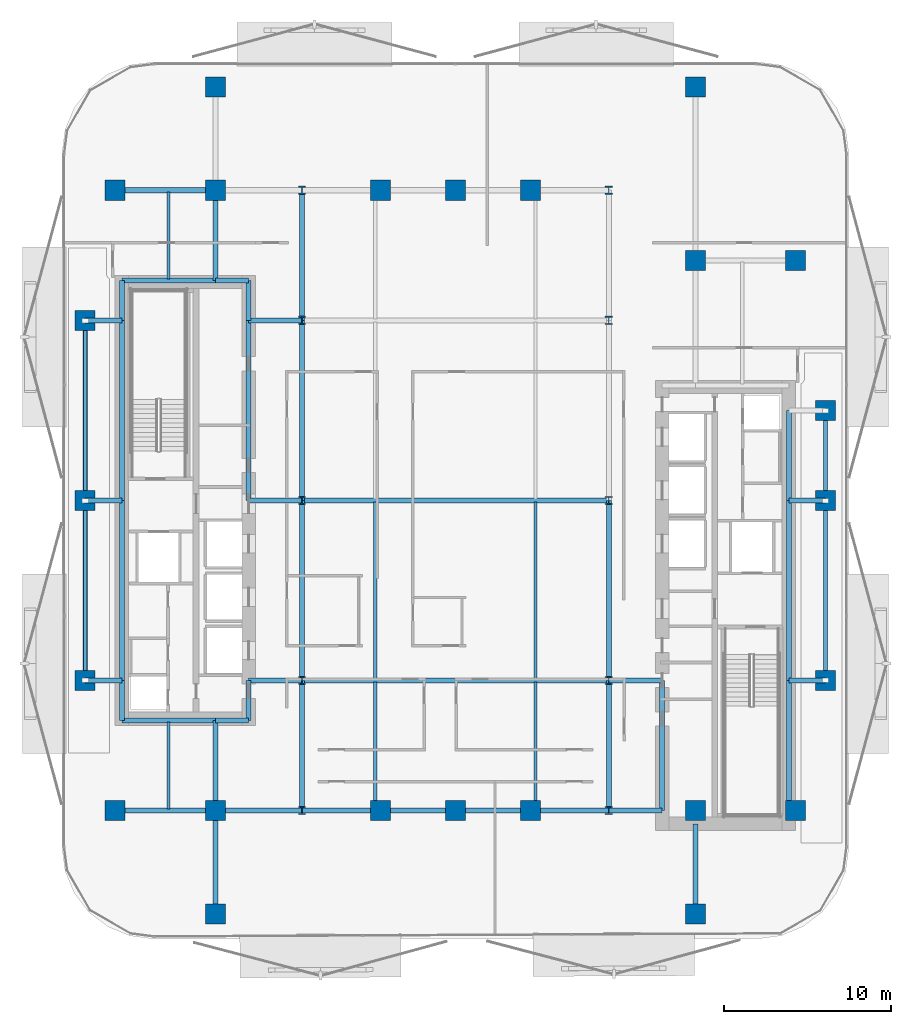
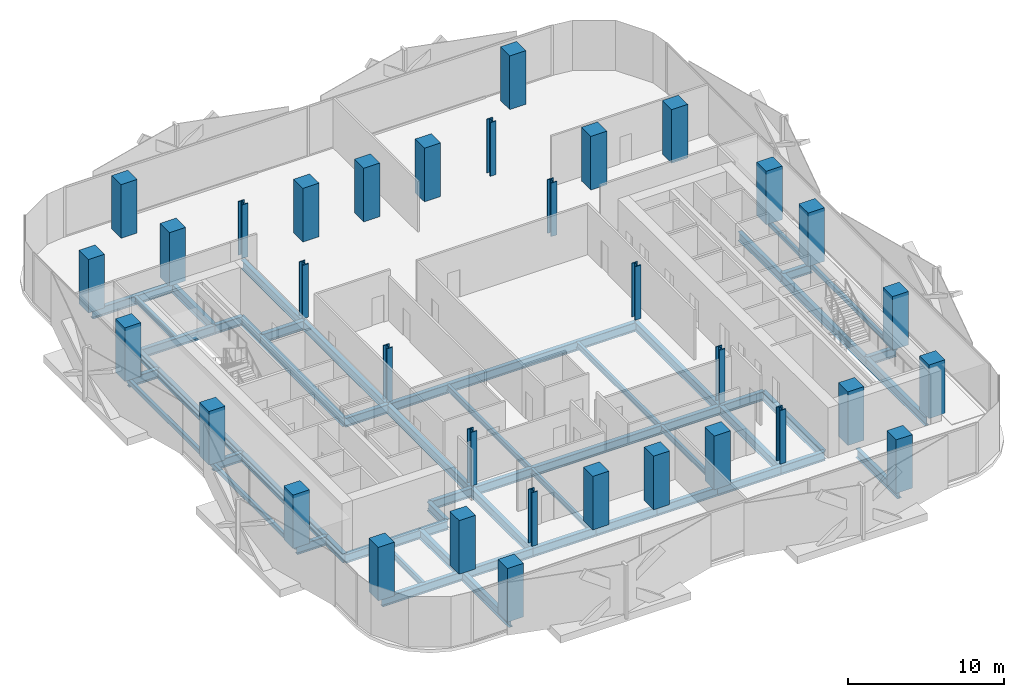
# One storey, part 1 of 16: 54 beams, 34 columns.
"""IFC4 building model written with IfcOpenShell, lengths in metres."""

from ifc_helpers import new_model, si_unit, direction, frame, origin, origin_2d, place, context, subcontext, project, spatial, rectangle, hollow_rectangle, i_section, extrude, material, material_profile, profile_set, type_object, element, save


model = new_model("IFC4")

# Units and contexts
model_context = context("Model", 3, precision=1e-05, world=origin(), true_north=direction((0.0, 1.0)))
body_context = subcontext(model_context, "Body", "Model", "MODEL_VIEW")
ifc_project = project(units=[si_unit("LENGTHUNIT", "METRE"), si_unit("AREAUNIT", "SQUARE_METRE"), si_unit("VOLUMEUNIT", "CUBIC_METRE"), si_unit("PLANEANGLEUNIT", "RADIAN"), si_unit("MASSUNIT", "GRAM", prefix="KILO")], contexts=[model_context])

# Site, building, storey
site_placement = place(None, origin())
site = spatial("IfcSite", under=ifc_project, at=site_placement, CompositionType="ELEMENT")
building_placement = place(site_placement, origin())
building = spatial("IfcBuilding", under=site, at=building_placement, Name="Khairoan Windgate Tower", CompositionType="ELEMENT")
storey_placement = place(building_placement, frame((0.0, 0.0, 97.39990234375)))
storey = spatial("IfcBuildingStorey", under=building, at=storey_placement, Name="L22", CompositionType="ELEMENT", Elevation=97.39990234375)

# Columns
ifc_material_1 = material(Name="Concrete C60/75", Category="concrete")
ifc_material_profile_1 = material_profile(ifc_material_1, rectangle(XDim=1.199951171875, YDim=1.199951171875, at=origin_2d()))
ifc_profile_set_1 = profile_set([ifc_material_profile_1], Name="Concrete C60/75")
column_type_1 = type_object("IfcColumnType", Name="Column C-T3 RC1200x1200", PredefinedType="COLUMN", material=ifc_profile_set_1)
for number, where, z_axis, x_axis, name in (
    (1, (-20.39990234375, -18.60009765625, 0.0), (0.0, 0.0, 1.0), (1.0, 0.0, 0.0), "Column L22-11"),
    (2, (-20.39990234375, 18.60009765625, 0.0), (0.0, 0.0, 1.0), (1.0, 0.0, 0.0), "Column L22-12"),
    (3, (20.39990234375, -18.60009765625, 0.0), (0.0, 0.0, 1.0), (1.0, 0.0, 0.0), "Column L22-13"),
    (4, (20.39990234375, 14.39990234375, 0.0), (0.0, 0.0, 1.0), (1.0, 0.0, 0.0), "Column L22-14"),
    (5, (-14.39990234375, -18.60009765625, 0.0), (0.0, 0.0, 1.0), (1.0, 0.0, 0.0), "Column L22-15"),
    (6, (-14.39990234375, 18.60009765625, 0.0), (0.0, 0.0, 1.0), (1.0, 0.0, 0.0), "Column L22-16"),
    (7, (14.39990234375, -18.60009765625, 0.0), (0.0, 0.0, 1.0), (1.0, 0.0, 0.0), "Column L22-17"),
    (8, (14.39990234375, 14.39990234375, 0.0), (0.0, 0.0, 1.0), (1.0, 0.0, 0.0), "Column L22-18"),
    (9, (-4.5, -18.60009765625, 0.0), (0.0, 0.0, 1.0), (1.0, 0.0, 0.0), "Column L22-19"),
    (10, (0.0, -18.60009765625, 0.0), (0.0, 0.0, 1.0), (1.0, 0.0, 0.0), "Column L22-20"),
    (11, (4.5, -18.60009765625, 0.0), (0.0, 0.0, 1.0), (1.0, 0.0, 0.0), "Column L22-21"),
    (12, (-4.5, 18.60009765625, 0.0), (0.0, 0.0, 1.0), (1.0, 0.0, 0.0), "Column L22-22"),
    (13, (0.0, 18.60009765625, 0.0), (0.0, 0.0, 1.0), (1.0, 0.0, 0.0), "Column L22-23"),
    (14, (4.5, 18.60009765625, 0.0), (0.0, 0.0, 1.0), (1.0, 0.0, 0.0), "Column L22-24"),
    (15, (-22.199951171875, -10.800048828125, 0.0), (0.0, 0.0, 1.0), (1.0, 0.0, 0.0), "Column L22-25"),
    (16, (-22.199951171875, 0.0, 0.0), (0.0, 0.0, 1.0), (1.0, 0.0, 0.0), "Column L22-26"),
    (17, (-22.199951171875, 10.800048828125, 0.0), (0.0, 0.0, 1.0), (1.0, 0.0, 0.0), "Column L22-27"),
    (18, (22.199951171875, -10.800048828125, 0.0), (0.0, 0.0, 1.0), (1.0, 0.0, 0.0), "Column L22-28"),
    (19, (22.199951171875, 0.0, 0.0), (0.0, 0.0, 1.0), (1.0, 0.0, 0.0), "Column L22-29"),
    (20, (22.199951171875, 5.39990234375, 0.0), (0.0, 0.0, 1.0), (1.0, 0.0, 0.0), "Column L22-30"),
    (21, (-14.39990234375, -24.800048828125, 0.0), (0.0, 0.0, 1.0), (1.0, 0.0, 0.0), "Column L22-31"),
    (22, (-14.39990234375, 24.800048828125, 0.0), (0.0, 0.0, 1.0), (1.0, 0.0, 0.0), "Column L22-32"),
    (23, (14.39990234375, -24.800048828125, 0.0), (0.0, 0.0, 1.0), (1.0, 0.0, 0.0), "Column L22-33"),
    (24, (14.39990234375, 24.800048828125, 0.0), (0.0, 0.0, 1.0), (1.0, 0.0, 0.0), "Column L22-34"),
):
    element("IfcColumn", number, at=place(storey_placement, frame(where, z_axis=z_axis, x_axis=x_axis)), inside=storey, type_object=column_type_1, Name=name, PredefinedType="COLUMN", context=body_context, shape_type="SweptSolid", body=[
        extrude(rectangle(XDim=1.199951171875, YDim=1.199951171875, at=origin_2d()), origin(), (0.0, 0.0, 1.0), 4.2001953125),
    ])
ifc_material_2 = material(Name="Steel S355", Category="steel")
ifc_material_profile_2 = material_profile(ifc_material_2, i_section(OverallWidth=0.431884765625, OverallDepth=0.498046875, WebThickness=0.044921875, FlangeThickness=0.070068359375, FilletRadius=0.02197265625, at=origin_2d()))
ifc_profile_set_2 = profile_set([ifc_material_profile_2], Name="Steel S355")
column_type_2 = type_object("IfcColumnType", Name="Steel Column SC1 H498x432x45x70", PredefinedType="COLUMN", material=ifc_profile_set_2)
for number, where, z_axis, x_axis, name in (
    (25, (-9.199951171875, -18.60009765625, 0.0), (0.0, 0.0, 1.0), (1.0, 0.0, 0.0), "Column L22-01"),
    (26, (-9.199951171875, -10.800048828125, 0.0), (0.0, 0.0, 1.0), (1.0, 0.0, 0.0), "Column L22-02"),
    (27, (-9.199951171875, 0.0, 0.0), (0.0, 0.0, 1.0), (1.0, 0.0, 0.0), "Column L22-03"),
    (28, (-9.199951171875, 10.800048828125, 0.0), (0.0, 0.0, 1.0), (1.0, 0.0, 0.0), "Column L22-04"),
    (29, (-9.199951171875, 18.60009765625, 0.0), (0.0, 0.0, 1.0), (1.0, 0.0, 0.0), "Column L22-05"),
    (30, (9.199951171875, -18.60009765625, 0.0), (0.0, 0.0, 1.0), (1.0, 0.0, 0.0), "Column L22-06"),
    (31, (9.199951171875, -10.800048828125, 0.0), (0.0, 0.0, 1.0), (1.0, 0.0, 0.0), "Column L22-07"),
    (32, (9.199951171875, 0.0, 0.0), (0.0, 0.0, 1.0), (1.0, 0.0, 0.0), "Column L22-08"),
    (33, (9.199951171875, 10.800048828125, 0.0), (0.0, 0.0, 1.0), (1.0, 0.0, 0.0), "Column L22-09"),
    (34, (9.199951171875, 18.60009765625, 0.0), (0.0, 0.0, 1.0), (1.0, 0.0, 0.0), "Column L22-10"),
):
    element("IfcColumn", number, at=place(storey_placement, frame(where, z_axis=z_axis, x_axis=x_axis)), inside=storey, type_object=column_type_2, Name=name, PredefinedType="COLUMN", context=body_context, shape_type="SweptSolid", body=[
        extrude(i_section(OverallWidth=0.431884765625, OverallDepth=0.498046875, WebThickness=0.044921875, FlangeThickness=0.070068359375, FilletRadius=0.02197265625, at=origin_2d()), origin(), (0.0, 0.0, 1.0), 4.2001953125),
    ])

# Beams
ifc_material_3 = material(Name="Steel S355", Category="steel")
ifc_material_profile_3 = material_profile(ifc_material_3, i_section(OverallWidth=0.300048828125, OverallDepth=0.699951171875, WebThickness=0.012939453125, FlangeThickness=0.02392578125, FilletRadius=0.02587890625, at=origin_2d()))
ifc_profile_set_3 = profile_set([ifc_material_profile_3], Name="Steel S355")
beam_type_1 = type_object("IfcBeamType", Name="Beam B-G3 H700x300x13x24", PredefinedType="BEAM", material=ifc_profile_set_3)
beam_1_placement = place(storey_placement, frame((-20.39990234375, -18.60009765625, -0.60986328125), z_axis=(1.0, 0.0, 0.0), x_axis=(0.0, 1.0, 0.0)))
element("IfcBeam", 35, at=beam_1_placement, inside=storey, type_object=beam_type_1, Name="L22 E-W Primary Girder 01", PredefinedType="BEAM", context=body_context, shape_type="SweptSolid", body=[
    extrude(i_section(OverallWidth=0.300048828125, OverallDepth=0.699951171875, WebThickness=0.012939453125, FlangeThickness=0.02392578125, FilletRadius=0.02587890625, at=origin_2d()), origin(), (0.0, 0.0, 1.0), 6.0),
])
beam_2_placement = place(storey_placement, frame((-14.39990234375, -18.60009765625, -0.60986328125), z_axis=(1.0, 0.0, 0.0), x_axis=(0.0, 1.0, 0.0)))
element("IfcBeam", 36, at=beam_2_placement, inside=storey, type_object=beam_type_1, Name="L22 E-W Primary Girder 02", PredefinedType="BEAM", context=body_context, shape_type="SweptSolid", body=[
    extrude(i_section(OverallWidth=0.300048828125, OverallDepth=0.699951171875, WebThickness=0.012939453125, FlangeThickness=0.02392578125, FilletRadius=0.02587890625, at=origin_2d()), origin(), (0.0, 0.0, 1.0), 5.199951171875),
])
beam_3_placement = place(storey_placement, frame((-9.199951171875, -18.60009765625, -0.60986328125), z_axis=(1.0, 0.0, 0.0), x_axis=(0.0, 1.0, 0.0)))
element("IfcBeam", 37, at=beam_3_placement, inside=storey, type_object=beam_type_1, Name="L22 E-W Primary Girder 03", PredefinedType="BEAM", context=body_context, shape_type="SweptSolid", body=[
    extrude(i_section(OverallWidth=0.300048828125, OverallDepth=0.699951171875, WebThickness=0.012939453125, FlangeThickness=0.02392578125, FilletRadius=0.02587890625, at=origin_2d()), origin(), (0.0, 0.0, 1.0), 4.699951171875),
])
for number, where, z_axis, x_axis, name in (
    (38, (-4.5, -18.60009765625, -0.60986328125), (1.0, 0.0, 0.0), (0.0, 1.0, 0.0), "L22 E-W Primary Girder 04"),
    (39, (0.0, -18.60009765625, -0.60986328125), (1.0, 0.0, 0.0), (0.0, 1.0, 0.0), "L22 E-W Primary Girder 05"),
):
    element("IfcBeam", number, at=place(storey_placement, frame(where, z_axis=z_axis, x_axis=x_axis)), inside=storey, type_object=beam_type_1, Name=name, PredefinedType="BEAM", context=body_context, shape_type="SweptSolid", body=[
        extrude(i_section(OverallWidth=0.300048828125, OverallDepth=0.699951171875, WebThickness=0.012939453125, FlangeThickness=0.02392578125, FilletRadius=0.02587890625, at=origin_2d()), origin(), (0.0, 0.0, 1.0), 4.5),
    ])
beam_4_placement = place(storey_placement, frame((4.5, -18.60009765625, -0.60986328125), z_axis=(1.0, 0.0, 0.0), x_axis=(0.0, 1.0, 0.0)))
element("IfcBeam", 40, at=beam_4_placement, inside=storey, type_object=beam_type_1, Name="L22 E-W Primary Girder 06", PredefinedType="BEAM", context=body_context, shape_type="SweptSolid", body=[
    extrude(i_section(OverallWidth=0.300048828125, OverallDepth=0.699951171875, WebThickness=0.012939453125, FlangeThickness=0.02392578125, FilletRadius=0.02587890625, at=origin_2d()), origin(), (0.0, 0.0, 1.0), 4.699951171875),
])
beam_5_placement = place(storey_placement, frame((9.199951171875, -18.60009765625, -0.60986328125), z_axis=(1.0, 0.0, 0.0), x_axis=(0.0, 1.0, 0.0)))
element("IfcBeam", 41, at=beam_5_placement, inside=storey, type_object=beam_type_1, Name="L22 E-W Primary Girder 07", PredefinedType="BEAM", context=body_context, shape_type="SweptSolid", body=[
    extrude(i_section(OverallWidth=0.300048828125, OverallDepth=0.699951171875, WebThickness=0.012939453125, FlangeThickness=0.02392578125, FilletRadius=0.02587890625, at=origin_2d()), origin(), (0.0, 0.0, 1.0), 3.199951171875),
])
beam_6_placement = place(storey_placement, frame((-20.0, -13.199951171875, -0.60986328125), z_axis=(1.0, 0.0, 0.0), x_axis=(0.0, 1.0, 0.0)))
element("IfcBeam", 42, at=beam_6_placement, inside=storey, type_object=beam_type_1, Name="L22 E-W Primary Girder 08", PredefinedType="BEAM", context=body_context, shape_type="SweptSolid", body=[
    extrude(i_section(OverallWidth=0.300048828125, OverallDepth=0.699951171875, WebThickness=0.012939453125, FlangeThickness=0.02392578125, FilletRadius=0.02587890625, at=origin_2d()), origin(), (0.0, 0.0, 1.0), 5.60009765625),
])
beam_7_placement = place(storey_placement, frame((-14.39990234375, -13.199951171875, -0.60986328125), z_axis=(1.0, 0.0, 0.0), x_axis=(0.0, 1.0, 0.0)))
element("IfcBeam", 43, at=beam_7_placement, inside=storey, type_object=beam_type_1, Name="L22 E-W Primary Girder 09", PredefinedType="BEAM", context=body_context, shape_type="SweptSolid", body=[
    extrude(i_section(OverallWidth=0.300048828125, OverallDepth=0.699951171875, WebThickness=0.012939453125, FlangeThickness=0.02392578125, FilletRadius=0.02587890625, at=origin_2d()), origin(), (0.0, 0.0, 1.0), 2.0),
])
beam_8_placement = place(storey_placement, frame((-22.199951171875, -10.800048828125, -0.60986328125), z_axis=(1.0, 0.0, 0.0), x_axis=(0.0, 1.0, 0.0)))
element("IfcBeam", 44, at=beam_8_placement, inside=storey, type_object=beam_type_1, Name="L22 E-W Primary Girder 10", PredefinedType="BEAM", context=body_context, shape_type="SweptSolid", body=[
    extrude(i_section(OverallWidth=0.300048828125, OverallDepth=0.699951171875, WebThickness=0.012939453125, FlangeThickness=0.02392578125, FilletRadius=0.02587890625, at=origin_2d()), origin(), (0.0, 0.0, 1.0), 2.199951171875),
])
beam_9_placement = place(storey_placement, frame((-12.39990234375, -10.800048828125, -0.60986328125), z_axis=(1.0, 0.0, 0.0), x_axis=(0.0, 1.0, 0.0)))
element("IfcBeam", 45, at=beam_9_placement, inside=storey, type_object=beam_type_1, Name="L22 E-W Primary Girder 11", PredefinedType="BEAM", context=body_context, shape_type="SweptSolid", body=[
    extrude(i_section(OverallWidth=0.300048828125, OverallDepth=0.699951171875, WebThickness=0.012939453125, FlangeThickness=0.02392578125, FilletRadius=0.02587890625, at=origin_2d()), origin(), (0.0, 0.0, 1.0), 3.199951171875),
])
beam_10_placement = place(storey_placement, frame((-9.199951171875, -10.800048828125, -0.60986328125), z_axis=(1.0, 0.0, 0.0), x_axis=(0.0, 1.0, 0.0)))
element("IfcBeam", 46, at=beam_10_placement, inside=storey, type_object=beam_type_1, Name="L22 E-W Primary Girder 12", PredefinedType="BEAM", context=body_context, shape_type="SweptSolid", body=[
    extrude(i_section(OverallWidth=0.300048828125, OverallDepth=0.699951171875, WebThickness=0.012939453125, FlangeThickness=0.02392578125, FilletRadius=0.02587890625, at=origin_2d()), origin(), (0.0, 0.0, 1.0), 18.39990234375),
])
beam_11_placement = place(storey_placement, frame((9.199951171875, -10.800048828125, -0.60986328125), z_axis=(1.0, 0.0, 0.0), x_axis=(0.0, 1.0, 0.0)))
element("IfcBeam", 47, at=beam_11_placement, inside=storey, type_object=beam_type_1, Name="L22 E-W Primary Girder 13", PredefinedType="BEAM", context=body_context, shape_type="SweptSolid", body=[
    extrude(i_section(OverallWidth=0.300048828125, OverallDepth=0.699951171875, WebThickness=0.012939453125, FlangeThickness=0.02392578125, FilletRadius=0.02587890625, at=origin_2d()), origin(), (0.0, 0.0, 1.0), 3.199951171875),
])
for number, where, z_axis, x_axis, name in (
    (48, (20.0, -10.800048828125, -0.60986328125), (1.0, 0.0, 0.0), (0.0, 1.0, 0.0), "L22 E-W Primary Girder 14"),
    (49, (-22.199951171875, 0.0, -0.60986328125), (1.0, 0.0, 0.0), (0.0, 1.0, 0.0), "L22 E-W Primary Girder 15"),
):
    element("IfcBeam", number, at=place(storey_placement, frame(where, z_axis=z_axis, x_axis=x_axis)), inside=storey, type_object=beam_type_1, Name=name, PredefinedType="BEAM", context=body_context, shape_type="SweptSolid", body=[
        extrude(i_section(OverallWidth=0.300048828125, OverallDepth=0.699951171875, WebThickness=0.012939453125, FlangeThickness=0.02392578125, FilletRadius=0.02587890625, at=origin_2d()), origin(), (0.0, 0.0, 1.0), 2.199951171875),
    ])
beam_12_placement = place(storey_placement, frame((-12.39990234375, 0.0, -0.60986328125), z_axis=(1.0, 0.0, 0.0), x_axis=(0.0, 1.0, 0.0)))
element("IfcBeam", 50, at=beam_12_placement, inside=storey, type_object=beam_type_1, Name="L22 E-W Primary Girder 16", PredefinedType="BEAM", context=body_context, shape_type="SweptSolid", body=[
    extrude(i_section(OverallWidth=0.300048828125, OverallDepth=0.699951171875, WebThickness=0.012939453125, FlangeThickness=0.02392578125, FilletRadius=0.02587890625, at=origin_2d()), origin(), (0.0, 0.0, 1.0), 3.199951171875),
])
beam_13_placement = place(storey_placement, frame((-9.199951171875, 0.0, -0.60986328125), z_axis=(1.0, 0.0, 0.0), x_axis=(0.0, 1.0, 0.0)))
element("IfcBeam", 51, at=beam_13_placement, inside=storey, type_object=beam_type_1, Name="L22 E-W Primary Girder 17", PredefinedType="BEAM", context=body_context, shape_type="SweptSolid", body=[
    extrude(i_section(OverallWidth=0.300048828125, OverallDepth=0.699951171875, WebThickness=0.012939453125, FlangeThickness=0.02392578125, FilletRadius=0.02587890625, at=origin_2d()), origin(), (0.0, 0.0, 1.0), 18.39990234375),
])
for number, where, z_axis, x_axis, name in (
    (52, (20.0, 0.0, -0.60986328125), (1.0, 0.0, 0.0), (0.0, 1.0, 0.0), "L22 E-W Primary Girder 18"),
    (53, (-22.199951171875, 10.800048828125, -0.60986328125), (1.0, 0.0, 0.0), (0.0, 1.0, 0.0), "L22 E-W Primary Girder 22"),
):
    element("IfcBeam", number, at=place(storey_placement, frame(where, z_axis=z_axis, x_axis=x_axis)), inside=storey, type_object=beam_type_1, Name=name, PredefinedType="BEAM", context=body_context, shape_type="SweptSolid", body=[
        extrude(i_section(OverallWidth=0.300048828125, OverallDepth=0.699951171875, WebThickness=0.012939453125, FlangeThickness=0.02392578125, FilletRadius=0.02587890625, at=origin_2d()), origin(), (0.0, 0.0, 1.0), 2.199951171875),
    ])
beam_14_placement = place(storey_placement, frame((-12.39990234375, 10.800048828125, -0.60986328125), z_axis=(1.0, 0.0, 0.0), x_axis=(0.0, 1.0, 0.0)))
element("IfcBeam", 54, at=beam_14_placement, inside=storey, type_object=beam_type_1, Name="L22 E-W Primary Girder 23", PredefinedType="BEAM", context=body_context, shape_type="SweptSolid", body=[
    extrude(i_section(OverallWidth=0.300048828125, OverallDepth=0.699951171875, WebThickness=0.012939453125, FlangeThickness=0.02392578125, FilletRadius=0.02587890625, at=origin_2d()), origin(), (0.0, 0.0, 1.0), 3.199951171875),
])
beam_15_placement = place(storey_placement, frame((-20.0, 13.199951171875, -0.60986328125), z_axis=(1.0, 0.0, 0.0), x_axis=(0.0, 1.0, 0.0)))
element("IfcBeam", 55, at=beam_15_placement, inside=storey, type_object=beam_type_1, Name="L22 E-W Primary Girder 25", PredefinedType="BEAM", context=body_context, shape_type="SweptSolid", body=[
    extrude(i_section(OverallWidth=0.300048828125, OverallDepth=0.699951171875, WebThickness=0.012939453125, FlangeThickness=0.02392578125, FilletRadius=0.02587890625, at=origin_2d()), origin(), (0.0, 0.0, 1.0), 5.60009765625),
])
beam_16_placement = place(storey_placement, frame((-14.39990234375, 13.199951171875, -0.60986328125), z_axis=(1.0, 0.0, 0.0), x_axis=(0.0, 1.0, 0.0)))
element("IfcBeam", 56, at=beam_16_placement, inside=storey, type_object=beam_type_1, Name="L22 E-W Primary Girder 26", PredefinedType="BEAM", context=body_context, shape_type="SweptSolid", body=[
    extrude(i_section(OverallWidth=0.300048828125, OverallDepth=0.699951171875, WebThickness=0.012939453125, FlangeThickness=0.02392578125, FilletRadius=0.02587890625, at=origin_2d()), origin(), (0.0, 0.0, 1.0), 2.0),
])
beam_17_placement = place(storey_placement, frame((-20.39990234375, 18.60009765625, -0.60986328125), z_axis=(1.0, 0.0, 0.0), x_axis=(0.0, 1.0, 0.0)))
element("IfcBeam", 57, at=beam_17_placement, inside=storey, type_object=beam_type_1, Name="L22 E-W Primary Girder 28", PredefinedType="BEAM", context=body_context, shape_type="SweptSolid", body=[
    extrude(i_section(OverallWidth=0.300048828125, OverallDepth=0.699951171875, WebThickness=0.012939453125, FlangeThickness=0.02392578125, FilletRadius=0.02587890625, at=origin_2d()), origin(), (0.0, 0.0, 1.0), 6.0),
])
beam_18_placement = place(storey_placement, frame((-20.0, -13.199951171875, -0.60986328125), z_axis=(0.0, 1.0, 0.0), x_axis=(-1.0, 0.0, 0.0)))
element("IfcBeam", 58, at=beam_18_placement, inside=storey, type_object=beam_type_1, Name="L22 N-S Primary Beam 36", PredefinedType="BEAM", context=body_context, shape_type="SweptSolid", body=[
    extrude(i_section(OverallWidth=0.300048828125, OverallDepth=0.699951171875, WebThickness=0.012939453125, FlangeThickness=0.02392578125, FilletRadius=0.02587890625, at=origin_2d()), origin(), (0.0, 0.0, 1.0), 2.39990234375),
])
for number, where, z_axis, x_axis, name in (
    (59, (-20.0, -10.800048828125, -0.60986328125), (0.0, 1.0, 0.0), (-1.0, 0.0, 0.0), "L22 N-S Primary Beam 37"),
    (60, (-20.0, 0.0, -0.60986328125), (0.0, 1.0, 0.0), (-1.0, 0.0, 0.0), "L22 N-S Primary Beam 38"),
):
    element("IfcBeam", number, at=place(storey_placement, frame(where, z_axis=z_axis, x_axis=x_axis)), inside=storey, type_object=beam_type_1, Name=name, PredefinedType="BEAM", context=body_context, shape_type="SweptSolid", body=[
        extrude(i_section(OverallWidth=0.300048828125, OverallDepth=0.699951171875, WebThickness=0.012939453125, FlangeThickness=0.02392578125, FilletRadius=0.02587890625, at=origin_2d()), origin(), (0.0, 0.0, 1.0), 10.800048828125),
    ])
beam_19_placement = place(storey_placement, frame((-20.0, 10.800048828125, -0.60986328125), z_axis=(0.0, 1.0, 0.0), x_axis=(-1.0, 0.0, 0.0)))
element("IfcBeam", 61, at=beam_19_placement, inside=storey, type_object=beam_type_1, Name="L22 N-S Primary Beam 39", PredefinedType="BEAM", context=body_context, shape_type="SweptSolid", body=[
    extrude(i_section(OverallWidth=0.300048828125, OverallDepth=0.699951171875, WebThickness=0.012939453125, FlangeThickness=0.02392578125, FilletRadius=0.02587890625, at=origin_2d()), origin(), (0.0, 0.0, 1.0), 2.39990234375),
])
beam_20_placement = place(storey_placement, frame((-14.39990234375, -24.800048828125, -0.60986328125), z_axis=(0.0, 1.0, 0.0), x_axis=(-1.0, 0.0, 0.0)))
element("IfcBeam", 62, at=beam_20_placement, inside=storey, type_object=beam_type_1, Name="L22 N-S Primary Beam 40", PredefinedType="BEAM", context=body_context, shape_type="SweptSolid", body=[
    extrude(i_section(OverallWidth=0.300048828125, OverallDepth=0.699951171875, WebThickness=0.012939453125, FlangeThickness=0.02392578125, FilletRadius=0.02587890625, at=origin_2d()), origin(), (0.0, 0.0, 1.0), 6.199951171875),
])
for number, where, z_axis, x_axis, name in (
    (63, (-14.39990234375, -18.60009765625, -0.60986328125), (0.0, 1.0, 0.0), (-1.0, 0.0, 0.0), "L22 N-S Primary Beam 41"),
    (64, (-14.39990234375, 13.199951171875, -0.60986328125), (0.0, 1.0, 0.0), (-1.0, 0.0, 0.0), "L22 N-S Primary Beam 42"),
):
    element("IfcBeam", number, at=place(storey_placement, frame(where, z_axis=z_axis, x_axis=x_axis)), inside=storey, type_object=beam_type_1, Name=name, PredefinedType="BEAM", context=body_context, shape_type="SweptSolid", body=[
        extrude(i_section(OverallWidth=0.300048828125, OverallDepth=0.699951171875, WebThickness=0.012939453125, FlangeThickness=0.02392578125, FilletRadius=0.02587890625, at=origin_2d()), origin(), (0.0, 0.0, 1.0), 5.400146484375),
    ])
beam_21_placement = place(storey_placement, frame((-12.39990234375, -13.199951171875, -0.60986328125), z_axis=(0.0, 1.0, 0.0), x_axis=(-1.0, 0.0, 0.0)))
element("IfcBeam", 65, at=beam_21_placement, inside=storey, type_object=beam_type_1, Name="L22 N-S Primary Beam 44", PredefinedType="BEAM", context=body_context, shape_type="SweptSolid", body=[
    extrude(i_section(OverallWidth=0.300048828125, OverallDepth=0.699951171875, WebThickness=0.012939453125, FlangeThickness=0.02392578125, FilletRadius=0.02587890625, at=origin_2d()), origin(), (0.0, 0.0, 1.0), 2.39990234375),
])
beam_22_placement = place(storey_placement, frame((-12.39990234375, 0.0, -0.60986328125), z_axis=(0.0, 1.0, 0.0), x_axis=(-1.0, 0.0, 0.0)))
element("IfcBeam", 66, at=beam_22_placement, inside=storey, type_object=beam_type_1, Name="L22 N-S Primary Beam 45", PredefinedType="BEAM", context=body_context, shape_type="SweptSolid", body=[
    extrude(i_section(OverallWidth=0.300048828125, OverallDepth=0.699951171875, WebThickness=0.012939453125, FlangeThickness=0.02392578125, FilletRadius=0.02587890625, at=origin_2d()), origin(), (0.0, 0.0, 1.0), 10.800048828125),
])
beam_23_placement = place(storey_placement, frame((-12.39990234375, 10.800048828125, -0.60986328125), z_axis=(0.0, 1.0, 0.0), x_axis=(-1.0, 0.0, 0.0)))
element("IfcBeam", 67, at=beam_23_placement, inside=storey, type_object=beam_type_1, Name="L22 N-S Primary Beam 46", PredefinedType="BEAM", context=body_context, shape_type="SweptSolid", body=[
    extrude(i_section(OverallWidth=0.300048828125, OverallDepth=0.699951171875, WebThickness=0.012939453125, FlangeThickness=0.02392578125, FilletRadius=0.02587890625, at=origin_2d()), origin(), (0.0, 0.0, 1.0), 2.39990234375),
])
beam_24_placement = place(storey_placement, frame((-9.199951171875, -18.60009765625, -0.60986328125), z_axis=(0.0, 1.0, 0.0), x_axis=(-1.0, 0.0, 0.0)))
element("IfcBeam", 68, at=beam_24_placement, inside=storey, type_object=beam_type_1, Name="L22 N-S Primary Beam 47", PredefinedType="BEAM", context=body_context, shape_type="SweptSolid", body=[
    extrude(i_section(OverallWidth=0.300048828125, OverallDepth=0.699951171875, WebThickness=0.012939453125, FlangeThickness=0.02392578125, FilletRadius=0.02587890625, at=origin_2d()), origin(), (0.0, 0.0, 1.0), 7.800048828125),
])
for number, where, z_axis, x_axis, name in (
    (69, (-9.199951171875, -10.800048828125, -0.60986328125), (0.0, 1.0, 0.0), (-1.0, 0.0, 0.0), "L22 N-S Primary Beam 48"),
    (70, (-9.199951171875, 0.0, -0.60986328125), (0.0, 1.0, 0.0), (-1.0, 0.0, 0.0), "L22 N-S Primary Beam 49"),
):
    element("IfcBeam", number, at=place(storey_placement, frame(where, z_axis=z_axis, x_axis=x_axis)), inside=storey, type_object=beam_type_1, Name=name, PredefinedType="BEAM", context=body_context, shape_type="SweptSolid", body=[
        extrude(i_section(OverallWidth=0.300048828125, OverallDepth=0.699951171875, WebThickness=0.012939453125, FlangeThickness=0.02392578125, FilletRadius=0.02587890625, at=origin_2d()), origin(), (0.0, 0.0, 1.0), 10.800048828125),
    ])
for number, where, z_axis, x_axis, name in (
    (71, (-9.199951171875, 10.800048828125, -0.60986328125), (0.0, 1.0, 0.0), (-1.0, 0.0, 0.0), "L22 N-S Primary Beam 50"),
    (72, (9.199951171875, -18.60009765625, -0.60986328125), (0.0, 1.0, 0.0), (-1.0, 0.0, 0.0), "L22 N-S Primary Beam 51"),
):
    element("IfcBeam", number, at=place(storey_placement, frame(where, z_axis=z_axis, x_axis=x_axis)), inside=storey, type_object=beam_type_1, Name=name, PredefinedType="BEAM", context=body_context, shape_type="SweptSolid", body=[
        extrude(i_section(OverallWidth=0.300048828125, OverallDepth=0.699951171875, WebThickness=0.012939453125, FlangeThickness=0.02392578125, FilletRadius=0.02587890625, at=origin_2d()), origin(), (0.0, 0.0, 1.0), 7.800048828125),
    ])
beam_25_placement = place(storey_placement, frame((9.199951171875, -10.800048828125, -0.60986328125), z_axis=(0.0, 1.0, 0.0), x_axis=(-1.0, 0.0, 0.0)))
element("IfcBeam", 73, at=beam_25_placement, inside=storey, type_object=beam_type_1, Name="L22 N-S Primary Beam 52", PredefinedType="BEAM", context=body_context, shape_type="SweptSolid", body=[
    extrude(i_section(OverallWidth=0.300048828125, OverallDepth=0.699951171875, WebThickness=0.012939453125, FlangeThickness=0.02392578125, FilletRadius=0.02587890625, at=origin_2d()), origin(), (0.0, 0.0, 1.0), 10.800048828125),
])
beam_26_placement = place(storey_placement, frame((12.39990234375, -18.60009765625, -0.60986328125), z_axis=(0.0, 1.0, 0.0), x_axis=(-1.0, 0.0, 0.0)))
element("IfcBeam", 74, at=beam_26_placement, inside=storey, type_object=beam_type_1, Name="L22 N-S Primary Beam 55", PredefinedType="BEAM", context=body_context, shape_type="SweptSolid", body=[
    extrude(i_section(OverallWidth=0.300048828125, OverallDepth=0.699951171875, WebThickness=0.012939453125, FlangeThickness=0.02392578125, FilletRadius=0.02587890625, at=origin_2d()), origin(), (0.0, 0.0, 1.0), 7.800048828125),
])
beam_27_placement = place(storey_placement, frame((14.39990234375, -24.800048828125, -0.60986328125), z_axis=(0.0, 1.0, 0.0), x_axis=(-1.0, 0.0, 0.0)))
element("IfcBeam", 75, at=beam_27_placement, inside=storey, type_object=beam_type_1, Name="L22 N-S Primary Beam 56", PredefinedType="BEAM", context=body_context, shape_type="SweptSolid", body=[
    extrude(i_section(OverallWidth=0.300048828125, OverallDepth=0.699951171875, WebThickness=0.012939453125, FlangeThickness=0.02392578125, FilletRadius=0.02587890625, at=origin_2d()), origin(), (0.0, 0.0, 1.0), 5.400146484375),
])
beam_28_placement = place(storey_placement, frame((20.0, -18.60009765625, -0.60986328125), z_axis=(0.0, 1.0, 0.0), x_axis=(-1.0, 0.0, 0.0)))
element("IfcBeam", 76, at=beam_28_placement, inside=storey, type_object=beam_type_1, Name="L22 N-S Primary Beam 59", PredefinedType="BEAM", context=body_context, shape_type="SweptSolid", body=[
    extrude(i_section(OverallWidth=0.300048828125, OverallDepth=0.699951171875, WebThickness=0.012939453125, FlangeThickness=0.02392578125, FilletRadius=0.02587890625, at=origin_2d()), origin(), (0.0, 0.0, 1.0), 7.800048828125),
])
beam_29_placement = place(storey_placement, frame((20.0, -10.800048828125, -0.60986328125), z_axis=(0.0, 1.0, 0.0), x_axis=(-1.0, 0.0, 0.0)))
element("IfcBeam", 77, at=beam_29_placement, inside=storey, type_object=beam_type_1, Name="L22 N-S Primary Beam 60", PredefinedType="BEAM", context=body_context, shape_type="SweptSolid", body=[
    extrude(i_section(OverallWidth=0.300048828125, OverallDepth=0.699951171875, WebThickness=0.012939453125, FlangeThickness=0.02392578125, FilletRadius=0.02587890625, at=origin_2d()), origin(), (0.0, 0.0, 1.0), 10.800048828125),
])
beam_30_placement = place(storey_placement, frame((20.0, 0.0, -0.60986328125), z_axis=(0.0, 1.0, 0.0), x_axis=(-1.0, 0.0, 0.0)))
element("IfcBeam", 78, at=beam_30_placement, inside=storey, type_object=beam_type_1, Name="L22 N-S Primary Beam 61", PredefinedType="BEAM", context=body_context, shape_type="SweptSolid", body=[
    extrude(i_section(OverallWidth=0.300048828125, OverallDepth=0.699951171875, WebThickness=0.012939453125, FlangeThickness=0.02392578125, FilletRadius=0.02587890625, at=origin_2d()), origin(), (0.0, 0.0, 1.0), 5.39990234375),
])
ifc_material_4 = material(Name="Steel S355", Category="steel")
ifc_material_profile_4 = material_profile(ifc_material_4, i_section(OverallWidth=0.199951171875, OverallDepth=0.449951171875, WebThickness=0.009033203125, FlangeThickness=0.013916015625, FilletRadius=0.01806640625, at=origin_2d()))
ifc_profile_set_4 = profile_set([ifc_material_profile_4], Name="Steel S355")
beam_type_2 = type_object("IfcBeamType", Name="Beam J-S3 H450x200x9x14", PredefinedType="JOIST", material=ifc_profile_set_4)
for number, where, z_axis, x_axis, name in (
    (79, (-17.199951171875, -18.510009765625, -0.48486328125), (0.0, 1.0, 0.0), (-1.0, 0.0, 0.0), "L22 Secondary Floor Joist 01"),
    (80, (-17.199951171875, 13.2900390625, -0.48486328125), (0.0, 1.0, 0.0), (-1.0, 0.0, 0.0), "L22 Secondary Floor Joist 02"),
):
    element("IfcBeam", number, at=place(storey_placement, frame(where, z_axis=z_axis, x_axis=x_axis)), inside=storey, type_object=beam_type_2, Name=name, PredefinedType="JOIST", context=body_context, shape_type="SweptSolid", body=[
        extrude(i_section(OverallWidth=0.199951171875, OverallDepth=0.449951171875, WebThickness=0.009033203125, FlangeThickness=0.013916015625, FilletRadius=0.01806640625, at=origin_2d()), origin(), (0.0, 0.0, 1.0), 5.219970703125),
    ])
beam_31_placement = place(storey_placement, frame((-4.800048828125, -18.510009765625, -0.48486328125), z_axis=(0.0, 1.0, 0.0), x_axis=(-1.0, 0.0, 0.0)))
element("IfcBeam", 81, at=beam_31_placement, inside=storey, type_object=beam_type_2, Name="L22 Secondary Floor Joist 03", PredefinedType="JOIST", context=body_context, shape_type="SweptSolid", body=[
    extrude(i_section(OverallWidth=0.199951171875, OverallDepth=0.449951171875, WebThickness=0.009033203125, FlangeThickness=0.013916015625, FilletRadius=0.01806640625, at=origin_2d()), origin(), (0.0, 0.0, 1.0), 7.6201171875),
])
beam_32_placement = place(storey_placement, frame((-4.800048828125, -10.7099609375, -0.48486328125), z_axis=(0.0, 1.0, 0.0), x_axis=(-1.0, 0.0, 0.0)))
element("IfcBeam", 82, at=beam_32_placement, inside=storey, type_object=beam_type_2, Name="L22 Secondary Floor Joist 04", PredefinedType="JOIST", context=body_context, shape_type="SweptSolid", body=[
    extrude(i_section(OverallWidth=0.199951171875, OverallDepth=0.449951171875, WebThickness=0.009033203125, FlangeThickness=0.013916015625, FilletRadius=0.01806640625, at=origin_2d()), origin(), (0.0, 0.0, 1.0), 10.619873046875),
])
beam_33_placement = place(storey_placement, frame((4.800048828125, -18.510009765625, -0.48486328125), z_axis=(0.0, 1.0, 0.0), x_axis=(-1.0, 0.0, 0.0)))
element("IfcBeam", 83, at=beam_33_placement, inside=storey, type_object=beam_type_2, Name="L22 Secondary Floor Joist 07", PredefinedType="JOIST", context=body_context, shape_type="SweptSolid", body=[
    extrude(i_section(OverallWidth=0.199951171875, OverallDepth=0.449951171875, WebThickness=0.009033203125, FlangeThickness=0.013916015625, FilletRadius=0.01806640625, at=origin_2d()), origin(), (0.0, 0.0, 1.0), 7.6201171875),
])
beam_34_placement = place(storey_placement, frame((4.800048828125, -10.7099609375, -0.48486328125), z_axis=(0.0, 1.0, 0.0), x_axis=(-1.0, 0.0, 0.0)))
element("IfcBeam", 84, at=beam_34_placement, inside=storey, type_object=beam_type_2, Name="L22 Secondary Floor Joist 08", PredefinedType="JOIST", context=body_context, shape_type="SweptSolid", body=[
    extrude(i_section(OverallWidth=0.199951171875, OverallDepth=0.449951171875, WebThickness=0.009033203125, FlangeThickness=0.013916015625, FilletRadius=0.01806640625, at=origin_2d()), origin(), (0.0, 0.0, 1.0), 10.619873046875),
])
ifc_material_5 = material(Name="Steel S355", Category="steel")
ifc_material_profile_5 = material_profile(ifc_material_5, hollow_rectangle(XDim=0.25, YDim=0.35009765625, WallThickness=0.012451171875, InnerFilletRadius=0.012451171875, OuterFilletRadius=0.02490234375, at=origin_2d()))
ifc_profile_set_5 = profile_set([ifc_material_profile_5], Name="Steel S355")
beam_type_3 = type_object("IfcBeamType", Name="Beam SP-B2 RHS350x250x12.5", PredefinedType="SPANDREL", material=ifc_profile_set_5)
for number, where, z_axis, x_axis, name in (
    (85, (-22.199951171875, -10.800048828125, -0.434814453125), (0.0, 1.0, 0.0), (-1.0, 0.0, 0.0), "L22 Spandrel Beam 34"),
    (86, (-22.199951171875, 0.0, -0.434814453125), (0.0, 1.0, 0.0), (-1.0, 0.0, 0.0), "L22 Spandrel Beam 35"),
    (87, (22.199951171875, -10.800048828125, -0.434814453125), (0.0, 1.0, 0.0), (-1.0, 0.0, 0.0), "L22 Spandrel Beam 62"),
):
    element("IfcBeam", number, at=place(storey_placement, frame(where, z_axis=z_axis, x_axis=x_axis)), inside=storey, type_object=beam_type_3, Name=name, PredefinedType="SPANDREL", context=body_context, shape_type="SweptSolid", body=[
        extrude(hollow_rectangle(XDim=0.25, YDim=0.35009765625, WallThickness=0.012451171875, InnerFilletRadius=0.012451171875, OuterFilletRadius=0.02490234375, at=origin_2d()), origin(), (0.0, 0.0, 1.0), 10.800048828125),
    ])
beam_35_placement = place(storey_placement, frame((22.199951171875, 0.0, -0.434814453125), z_axis=(0.0, 1.0, 0.0), x_axis=(-1.0, 0.0, 0.0)))
element("IfcBeam", 88, at=beam_35_placement, inside=storey, type_object=beam_type_3, Name="L22 Spandrel Beam 63", PredefinedType="SPANDREL", context=body_context, shape_type="SweptSolid", body=[
    extrude(hollow_rectangle(XDim=0.25, YDim=0.35009765625, WallThickness=0.012451171875, InnerFilletRadius=0.012451171875, OuterFilletRadius=0.02490234375, at=origin_2d()), origin(), (0.0, 0.0, 1.0), 5.39990234375),
])

save(model, "model.ifc")
